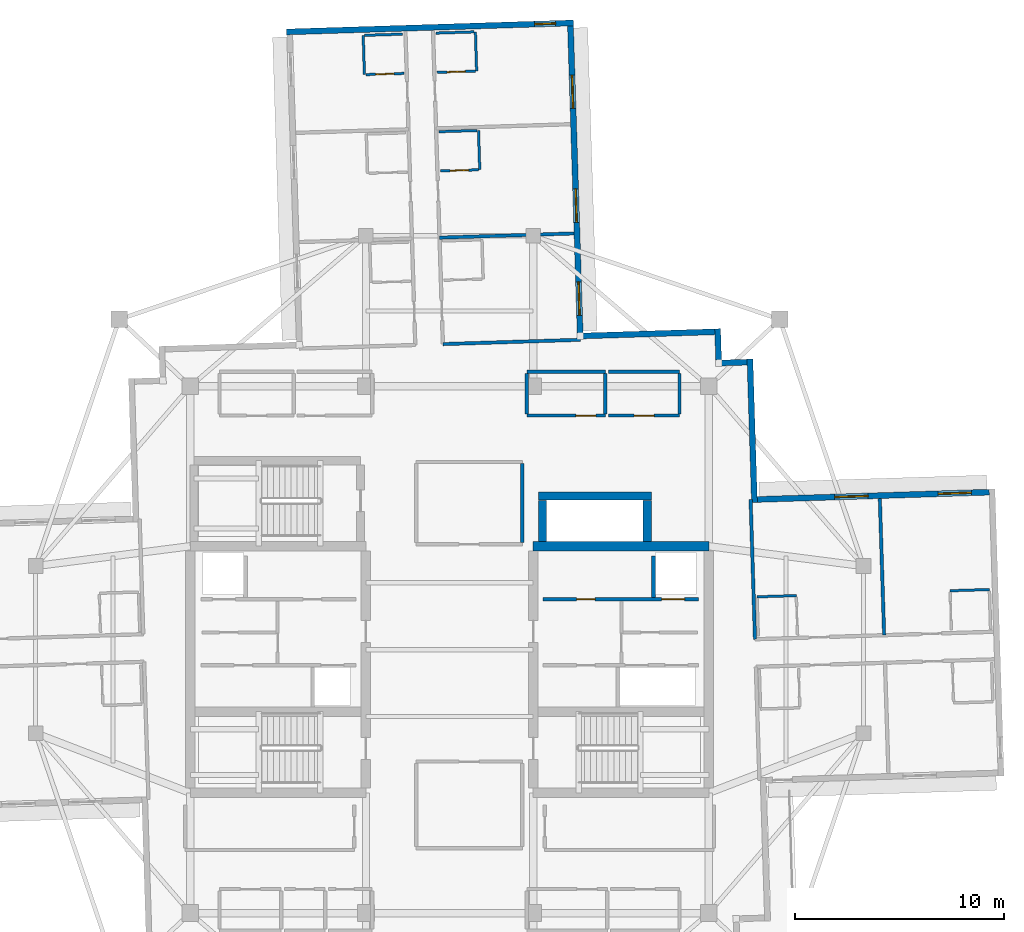
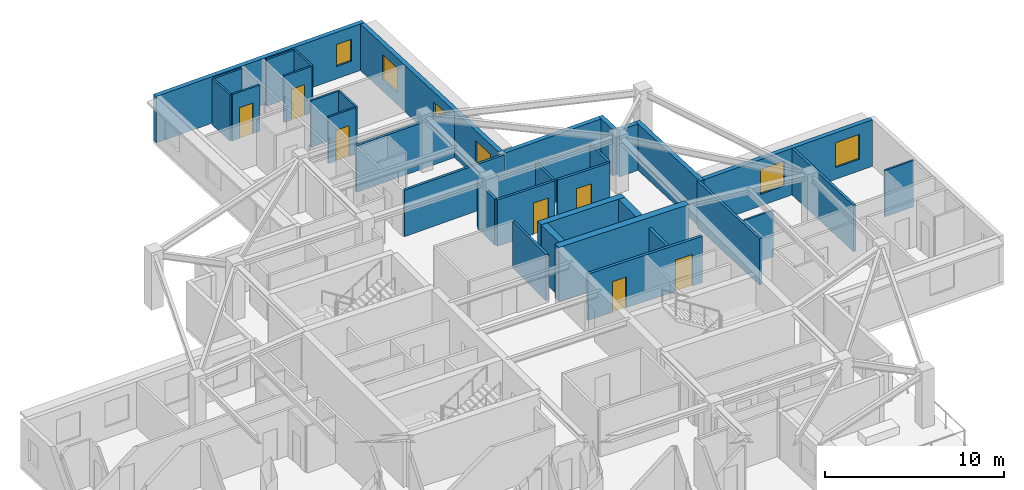
# One storey, part 8 of 13: 36 walls, 7 doors, 6 windows, 13 openings.
"""IFC4 building model written with IfcOpenShell, lengths in metres."""

from ifc_helpers import new_model, si_unit, direction, frame, frame_2d, origin, place, context, subcontext, project, spatial, rectangle, extrude, material, layer, layer_set, type_object, element, fill, save


model = new_model("IFC4")

# Units and contexts
model_context = context("Model", 3, precision=1e-05, world=origin(), true_north=direction((0.0, 1.0)))
body_context = subcontext(model_context, "Body", "Model", "MODEL_VIEW")
ifc_project = project(units=[si_unit("LENGTHUNIT", "METRE"), si_unit("AREAUNIT", "SQUARE_METRE"), si_unit("VOLUMEUNIT", "CUBIC_METRE"), si_unit("PLANEANGLEUNIT", "RADIAN"), si_unit("MASSUNIT", "GRAM", prefix="KILO")], contexts=[model_context])

# Site, building, storey
site_placement = place(None, origin())
site = spatial("IfcSite", under=ifc_project, at=site_placement, CompositionType="ELEMENT")
building_placement = place(site_placement, origin())
building = spatial("IfcBuilding", under=site, at=building_placement, Name="Qingluan Cross Belvedere", CompositionType="ELEMENT")
storey_placement = place(building_placement, frame((0.0, 0.0, 273.300048828125)))
storey = spatial("IfcBuildingStorey", under=building, at=storey_placement, Name="L68", CompositionType="ELEMENT", Elevation=273.300048828125)

# Walls
ifc_material_1 = material(Name="Concrete C50", Category="concrete")
ifc_layer_1 = layer(ifc_material_1, 0.449951171875, Name="CoreShearWall_450")
ifc_layer_set_1 = layer_set([ifc_layer_1], Name="Concrete C50")
wall_type_1 = type_object("IfcWallType", Name="CoreShearWall_450", PredefinedType="SHEAR", material=ifc_layer_set_1)
wall_1_placement = place(storey_placement, frame((4.0, 4.949951171875, 0.0), z_axis=(0.0, 0.0, 1.0), x_axis=(1.0, 0.0, 0.0)))
element("IfcWall", 1, at=wall_1_placement, inside=storey, type_object=wall_type_1, Name="Split core E shear wall L68-N", PredefinedType="SHEAR", context=body_context, shape_type="SweptSolid", body=[
    extrude(rectangle(XDim=8.39990234375, YDim=0.449951171875, at=frame_2d((4.199951171875, 0.0))), origin(), (0.0, 0.0, 1.0), 3.699951171875),
])
wall_2_placement = place(storey_placement, frame((4.449951171875, 5.179931640625, 0.0), z_axis=(0.0, 0.0, 1.0), x_axis=(0.0, 1.0, 0.0)))
element("IfcWall", 2, at=wall_2_placement, inside=storey, type_object=wall_type_1, Name="Express shuttle core wall L68-W", PredefinedType="SHEAR", context=body_context, shape_type="SweptSolid", body=[
    extrude(rectangle(XDim=1.9599609375, YDim=0.39990234375, at=frame_2d((0.97998046875, 0.0))), origin(), (0.0, 0.0, 1.0), 3.699951171875),
])
wall_3_placement = place(storey_placement, frame((4.25, 7.35009765625, 0.0), z_axis=(0.0, 0.0, 1.0), x_axis=(1.0, 0.0, 0.0)))
element("IfcWall", 3, at=wall_3_placement, inside=storey, type_object=wall_type_1, Name="Express shuttle core wall L68-N", PredefinedType="SHEAR", context=body_context, shape_type="SweptSolid", body=[
    extrude(rectangle(XDim=5.39990234375, YDim=0.39990234375, at=frame_2d((2.699951171875, 0.0))), origin(), (0.0, 0.0, 1.0), 3.699951171875),
])
wall_4_placement = place(storey_placement, frame((9.449951171875, 5.179931640625, 0.0), z_axis=(0.0, 0.0, 1.0), x_axis=(0.0, 1.0, 0.0)))
element("IfcWall", 4, at=wall_4_placement, inside=storey, type_object=wall_type_1, Name="Express shuttle core wall L68-E", PredefinedType="SHEAR", context=body_context, shape_type="SweptSolid", body=[
    extrude(rectangle(XDim=1.9599609375, YDim=0.39990234375, at=frame_2d((0.97998046875, 0.0))), origin(), (0.0, 0.0, 1.0), 3.699951171875),
])

# Wall, opening, door
ifc_material_2 = material(Name="Gypsum plasterboard on steel stud acoustic partition", Category="steel")
ifc_layer_2 = layer(ifc_material_2, 0.159912109375, Name="CorridorPartition_160")
ifc_layer_set_2 = layer_set([ifc_layer_2], Name="Gypsum plasterboard on steel stud acoustic partition")
wall_type_2 = type_object("IfcWallType", Name="CorridorPartition_160", PredefinedType="PARTITIONING", material=ifc_layer_set_2)
wall_5_placement = place(storey_placement, frame((3.699951171875, 11.199951171875, 0.0), z_axis=(0.0, 0.0, 1.0), x_axis=(1.0, 0.0, 0.0)))
wall_5 = element("IfcWall", 5, at=wall_5_placement, inside=storey, type_object=wall_type_2, Name="Partition L68:q_ne1:S", PredefinedType="PARTITIONING", context=body_context, shape_type="SweptSolid", body=[
    extrude(rectangle(XDim=3.75, YDim=0.159912109375, at=frame_2d((1.875, 0.0))), origin(), (0.0, 0.0, 1.0), 3.169921875),
])
opening_1_placement = place(wall_5_placement, frame((2.344970703125, 0.0, 0.0)))
opening_1 = element("IfcOpeningElement", 6, at=opening_1_placement, cuts=wall_5, Name="Opening GD-10", PredefinedType="OPENING", context=body_context, shape_type="SweptSolid", body=[
    extrude(rectangle(XDim=0.9599609375, YDim=2.14990234375, at=frame_2d((0.47998046875, 1.074951171875))), frame((0.0, 0.08984375, 0.0), z_axis=(0.0, -1.0, 0.0), x_axis=(1.0, 0.0, 0.0)), (0.0, 0.0, 1.0), 0.179931640625),
])
ifc_material_3 = material(Name="Timber oak fire-rated acoustic guestroom door", Category="wood")
door_type_1 = type_object("IfcDoorType", Name="GuestEntryDoor_FD60", OperationType="NOTDEFINED", PredefinedType="DOOR", material=ifc_material_3)
door_1_placement = place(opening_1_placement, origin())
door_1 = element("IfcDoor", 7, at=door_1_placement, inside=storey, type_object=door_type_1, Name="Belvedere club lounge L68 door", OperationType="SINGLE_SWING_RIGHT", OverallHeight=2.14990234375, OverallWidth=0.9599609375, PredefinedType="DOOR", context=body_context, shape_type="SweptSolid", body=[
    extrude(rectangle(XDim=0.9599609375, YDim=2.14990234375, at=frame_2d((0.47998046875, 1.074951171875))), frame((0.0, 0.02490234375, 0.0), z_axis=(0.0, -1.0, 0.0), x_axis=(1.0, 0.0, 0.0)), (0.0, 0.0, 1.0), 0.050048828125),
])
fill(opening_1, door_1)

# Walls
wall_6_placement = place(storey_placement, frame((3.699951171875, 13.300048828125, 0.0), z_axis=(0.0, 0.0, 1.0), x_axis=(1.0, 0.0, 0.0)))
element("IfcWall", 8, at=wall_6_placement, inside=storey, type_object=wall_type_2, Name="Partition L68:q_ne1:N", PredefinedType="PARTITIONING", context=body_context, shape_type="SweptSolid", body=[
    extrude(rectangle(XDim=3.75, YDim=0.159912109375, at=frame_2d((1.875, 0.0))), origin(), (0.0, 0.0, 1.0), 3.169921875),
])
for number, where, z_axis, x_axis, name in (
    (9, (3.699951171875, 11.284912109375, 0.0), (0.0, 0.0, 1.0), (0.0, 1.0, 0.0), "Partition L68:q_ne1:W"),
    (10, (7.449951171875, 11.284912109375, 0.0), (0.0, 0.0, 1.0), (0.0, 1.0, 0.0), "Partition L68:q_ne1:E"),
):
    element("IfcWall", number, at=place(storey_placement, frame(where, z_axis=z_axis, x_axis=x_axis)), inside=storey, type_object=wall_type_2, Name=name, PredefinedType="PARTITIONING", context=body_context, shape_type="SweptSolid", body=[
        extrude(rectangle(XDim=1.93017578125, YDim=0.159912109375, at=frame_2d((0.965087890625, 0.0))), origin(), (0.0, 0.0, 1.0), 3.169921875),
    ])

# Wall, opening, door
wall_7_placement = place(storey_placement, frame((7.610107421875, 11.199951171875, 0.0), z_axis=(0.0, 0.0, 1.0), x_axis=(1.0, 0.0, 0.0)))
wall_7 = element("IfcWall", 11, at=wall_7_placement, inside=storey, type_object=wall_type_2, Name="Partition L68:q_ne2:S", PredefinedType="PARTITIONING", context=body_context, shape_type="SweptSolid", body=[
    extrude(rectangle(XDim=3.389892578125, YDim=0.159912109375, at=frame_2d((1.69482421875, 0.0))), origin(), (0.0, 0.0, 1.0), 3.169921875),
])
opening_2_placement = place(wall_7_placement, frame((1.215087890625, 0.0, 0.0)))
opening_2 = element("IfcOpeningElement", 12, at=opening_2_placement, cuts=wall_7, Name="Opening GD-10", PredefinedType="OPENING", context=body_context, shape_type="SweptSolid", body=[
    extrude(rectangle(XDim=0.9599609375, YDim=2.14990234375, at=frame_2d((0.47998046875, 1.074951171875))), frame((0.0, 0.08984375, 0.0), z_axis=(0.0, -1.0, 0.0), x_axis=(1.0, 0.0, 0.0)), (0.0, 0.0, 1.0), 0.179931640625),
])
door_2_placement = place(opening_2_placement, origin())
door_2 = element("IfcDoor", 13, at=door_2_placement, inside=storey, type_object=door_type_1, Name="Northeast tea salon L68 door", OperationType="SINGLE_SWING_LEFT", OverallHeight=2.14990234375, OverallWidth=0.9599609375, PredefinedType="DOOR", context=body_context, shape_type="SweptSolid", body=[
    extrude(rectangle(XDim=0.9599609375, YDim=2.14990234375, at=frame_2d((0.47998046875, 1.074951171875))), frame((0.0, 0.02490234375, 0.0), z_axis=(0.0, -1.0, 0.0), x_axis=(1.0, 0.0, 0.0)), (0.0, 0.0, 1.0), 0.050048828125),
])
fill(opening_2, door_2)

# Walls
wall_8_placement = place(storey_placement, frame((7.610107421875, 13.300048828125, 0.0), z_axis=(0.0, 0.0, 1.0), x_axis=(1.0, 0.0, 0.0)))
element("IfcWall", 14, at=wall_8_placement, inside=storey, type_object=wall_type_2, Name="Partition L68:q_ne2:N", PredefinedType="PARTITIONING", context=body_context, shape_type="SweptSolid", body=[
    extrude(rectangle(XDim=3.389892578125, YDim=0.159912109375, at=frame_2d((1.69482421875, 0.0))), origin(), (0.0, 0.0, 1.0), 3.169921875),
])
wall_9_placement = place(storey_placement, frame((11.0, 11.284912109375, 0.0), z_axis=(0.0, 0.0, 1.0), x_axis=(0.0, 1.0, 0.0)))
element("IfcWall", 15, at=wall_9_placement, inside=storey, type_object=wall_type_2, Name="Partition L68:q_ne2:E", PredefinedType="PARTITIONING", context=body_context, shape_type="SweptSolid", body=[
    extrude(rectangle(XDim=1.93017578125, YDim=0.159912109375, at=frame_2d((0.965087890625, 0.0))), origin(), (0.0, 0.0, 1.0), 3.169921875),
])
wall_10_placement = place(storey_placement, frame((3.47998046875, 5.135009765625, 0.0), z_axis=(0.0, 0.0, 1.0), x_axis=(0.0, 1.0, 0.0)))
element("IfcWall", 16, at=wall_10_placement, inside=storey, type_object=wall_type_2, Name="Partition L68:sky_tea_alcove:E", PredefinedType="PARTITIONING", context=body_context, shape_type="SweptSolid", body=[
    extrude(rectangle(XDim=3.760009765625, YDim=0.159912109375, at=frame_2d((1.8798828125, 0.0))), origin(), (0.0, 0.0, 1.0), 3.169921875),
])
wall_11_placement = place(storey_placement, frame((14.611572265625, 0.499267578125, 0.0), z_axis=(0.0, 0.0, 1.0), x_axis=(-0.031432152102, 0.999505887834, 0.0)))
element("IfcWall", 17, at=wall_11_placement, inside=storey, type_object=wall_type_2, Name="Partition L68:E:s0", PredefinedType="PARTITIONING", context=body_context, shape_type="SweptSolid", body=[
    extrude(rectangle(XDim=6.679931640625, YDim=0.159912109375, at=frame_2d((3.33984375, 0.0))), origin(), (0.0, 0.0, 1.0), 3.169921875),
])
wall_12_placement = place(storey_placement, frame((20.78857421875, 0.693359375, 0.0), z_axis=(0.0, 0.0, 1.0), x_axis=(-0.031433117423, 0.999505857476, 0.0)))
element("IfcWall", 18, at=wall_12_placement, inside=storey, type_object=wall_type_2, Name="Partition L68:E:d0_0", PredefinedType="PARTITIONING", context=body_context, shape_type="SweptSolid", body=[
    extrude(rectangle(XDim=6.531982421875, YDim=0.159912109375, at=frame_2d((3.26611328125, 0.0))), origin(), (0.0, 0.0, 1.0), 3.169921875),
])
wall_13_placement = place(storey_placement, frame((-0.3193359375, 14.6171875, 0.0), z_axis=(0.0, 0.0, 1.0), x_axis=(0.999506085206, 0.03142587528, 0.0)))
element("IfcWall", 19, at=wall_13_placement, inside=storey, type_object=wall_type_2, Name="Partition L68:N:s0", PredefinedType="PARTITIONING", context=body_context, shape_type="SweptSolid", body=[
    extrude(rectangle(XDim=6.580078125, YDim=0.159912109375, at=frame_2d((3.2900390625, 0.0))), origin(), (0.0, 0.0, 1.0), 3.169921875),
])
wall_14_placement = place(storey_placement, frame((-0.479248046875, 19.708740234375, 0.0), z_axis=(0.0, 0.0, 1.0), x_axis=(0.999507175611, 0.031391175537, 0.0)))
element("IfcWall", 20, at=wall_14_placement, inside=storey, type_object=wall_type_2, Name="Partition L68:N:d0_0", PredefinedType="PARTITIONING", context=body_context, shape_type="SweptSolid", body=[
    extrude(rectangle(XDim=6.431884765625, YDim=0.159912109375, at=frame_2d((3.2158203125, 0.0))), origin(), (0.0, 0.0, 1.0), 3.169921875),
])
ifc_material_4 = material(Name="Moisture-resistant gypsum board lining")
ifc_layer_3 = layer(ifc_material_4, 0.1201171875, Name="EnsuiteWetPartition_120")
ifc_layer_set_3 = layer_set([ifc_layer_3], Name="Moisture-resistant gypsum board lining")
wall_type_3 = type_object("IfcWallType", Name="EnsuiteWetPartition_120", PredefinedType="PARTITIONING", material=ifc_layer_set_3)
for number, where, z_axis, x_axis, name in (
    (21, (14.707763671875, 2.5283203125, 0.0), (0.0, 0.0, 1.0), (0.999506103526, 0.031425292588, 0.0), "Partition L68:E:bn0_0"),
    (22, (23.943359375, 2.818603515625, 0.0), (0.0, 0.0, 1.0), (0.999510173889, 0.031295563454, 0.0), "Partition L68:E:bn0_1"),
):
    element("IfcWall", number, at=place(storey_placement, frame(where, z_axis=z_axis, x_axis=x_axis)), inside=storey, type_object=wall_type_3, Name=name, PredefinedType="PARTITIONING", context=body_context, shape_type="SweptSolid", body=[
        extrude(rectangle(XDim=1.880126953125, YDim=0.1201171875, at=frame_2d((0.93994140625, 0.0))), origin(), (0.0, 0.0, 1.0), 3.169921875),
    ])

# Wall, opening, door
wall_15_placement = place(storey_placement, frame((-0.439453125, 22.8984375, 0.0), z_axis=(0.0, 0.0, 1.0), x_axis=(0.999503004171, 0.03152371574, 0.0)))
wall_15 = element("IfcWall", 23, at=wall_15_placement, inside=storey, type_object=wall_type_3, Name="Partition L68:N:bs0_1", PredefinedType="PARTITIONING", context=body_context, shape_type="SweptSolid", body=[
    extrude(rectangle(XDim=1.820068359375, YDim=0.1201171875, at=frame_2d((0.91015625, 0.0))), origin(), (0.0, 0.0, 1.0), 3.169921875),
])
opening_3_placement = place(wall_15_placement, frame((0.469970703125, 0.0, 0.0)))
opening_3 = element("IfcOpeningElement", 24, at=opening_3_placement, cuts=wall_15, Name="Opening BD-09", PredefinedType="OPENING", context=body_context, shape_type="SweptSolid", body=[
    extrude(rectangle(XDim=0.8798828125, YDim=2.10009765625, at=frame_2d((0.43994140625, 1.050048828125))), frame((0.0, 0.070068359375, 0.0), z_axis=(0.0, -1.0, 0.0), x_axis=(1.0, 0.0, 0.0)), (0.0, 0.0, 1.0), 0.14013671875),
])
ifc_material_5 = material(Name="Moisture-sealed timber en-suite door", Category="wood")
door_type_2 = type_object("IfcDoorType", Name="BathroomDoor_880", OperationType="NOTDEFINED", PredefinedType="DOOR", material=ifc_material_5)
door_3_placement = place(opening_3_placement, origin())
door_3 = element("IfcDoor", 25, at=door_3_placement, inside=storey, type_object=door_type_2, Name="Bathroom door 6810", OperationType="SINGLE_SWING_RIGHT", OverallHeight=2.10009765625, OverallWidth=0.8798828125, PredefinedType="DOOR", context=body_context, shape_type="SweptSolid", body=[
    extrude(rectangle(XDim=0.8798828125, YDim=2.10009765625, at=frame_2d((0.43994140625, 1.050048828125))), frame((0.0, 0.02490234375, 0.0), z_axis=(0.0, -1.0, 0.0), x_axis=(1.0, 0.0, 0.0)), (0.0, 0.0, 1.0), 0.050048828125),
])
fill(opening_3, door_3)

# Walls
wall_16_placement = place(storey_placement, frame((-0.49853515625, 24.777587890625, 0.0), z_axis=(0.0, 0.0, 1.0), x_axis=(0.999507221803, 0.031389704724, 0.0)))
element("IfcWall", 26, at=wall_16_placement, inside=storey, type_object=wall_type_3, Name="Partition L68:N:bw0_1", PredefinedType="PARTITIONING", context=body_context, shape_type="SweptSolid", body=[
    extrude(rectangle(XDim=1.820068359375, YDim=0.1201171875, at=frame_2d((0.91015625, 0.0))), origin(), (0.0, 0.0, 1.0), 3.169921875),
])
wall_17_placement = place(storey_placement, frame((1.444580078125, 22.957763671875, 0.0), z_axis=(0.0, 0.0, 1.0), x_axis=(-0.031425292588, 0.999506103526, 0.0)))
element("IfcWall", 27, at=wall_17_placement, inside=storey, type_object=wall_type_3, Name="Partition L68:N:bn0_1", PredefinedType="PARTITIONING", context=body_context, shape_type="SweptSolid", body=[
    extrude(rectangle(XDim=1.880126953125, YDim=0.1201171875, at=frame_2d((0.93994140625, 0.0))), origin(), (0.0, 0.0, 1.0), 3.169921875),
])

# Wall, opening, door
wall_18_placement = place(storey_placement, frame((-0.587646484375, 27.615234375, 0.0), z_axis=(0.0, 0.0, 1.0), x_axis=(0.999507221803, 0.031389704724, 0.0)))
wall_18 = element("IfcWall", 28, at=wall_18_placement, inside=storey, type_object=wall_type_3, Name="Partition L68:N:bs0_2", PredefinedType="PARTITIONING", context=body_context, shape_type="SweptSolid", body=[
    extrude(rectangle(XDim=1.820068359375, YDim=0.1201171875, at=frame_2d((0.91015625, 0.0))), origin(), (0.0, 0.0, 1.0), 3.169921875),
])
opening_4_placement = place(wall_18_placement, frame((0.469970703125, 0.0, 0.0)))
opening_4 = element("IfcOpeningElement", 29, at=opening_4_placement, cuts=wall_18, Name="Opening BD-09", PredefinedType="OPENING", context=body_context, shape_type="SweptSolid", body=[
    extrude(rectangle(XDim=0.8798828125, YDim=2.10009765625, at=frame_2d((0.43994140625, 1.050048828125))), frame((0.0, 0.070068359375, 0.0), z_axis=(0.0, -1.0, 0.0), x_axis=(1.0, 0.0, 0.0)), (0.0, 0.0, 1.0), 0.14013671875),
])
door_4_placement = place(opening_4_placement, origin())
door_4 = element("IfcDoor", 30, at=door_4_placement, inside=storey, type_object=door_type_2, Name="Bathroom door 6811", OperationType="SINGLE_SWING_RIGHT", OverallHeight=2.10009765625, OverallWidth=0.8798828125, PredefinedType="DOOR", context=body_context, shape_type="SweptSolid", body=[
    extrude(rectangle(XDim=0.8798828125, YDim=2.10009765625, at=frame_2d((0.43994140625, 1.050048828125))), frame((0.0, 0.02490234375, 0.0), z_axis=(0.0, -1.0, 0.0), x_axis=(1.0, 0.0, 0.0)), (0.0, 0.0, 1.0), 0.050048828125),
])
fill(opening_4, door_4)

# Walls
wall_19_placement = place(storey_placement, frame((-0.646728515625, 29.494140625, 0.0), z_axis=(0.0, 0.0, 1.0), x_axis=(0.999503004171, 0.03152371574, 0.0)))
element("IfcWall", 31, at=wall_19_placement, inside=storey, type_object=wall_type_3, Name="Partition L68:N:bw0_2", PredefinedType="PARTITIONING", context=body_context, shape_type="SweptSolid", body=[
    extrude(rectangle(XDim=1.820068359375, YDim=0.1201171875, at=frame_2d((0.91015625, 0.0))), origin(), (0.0, 0.0, 1.0), 3.169921875),
])
wall_20_placement = place(storey_placement, frame((1.29638671875, 27.67431640625, 0.0), z_axis=(0.0, 0.0, 1.0), x_axis=(-0.031425292588, 0.999506103526, 0.0)))
element("IfcWall", 32, at=wall_20_placement, inside=storey, type_object=wall_type_3, Name="Partition L68:N:bn0_2", PredefinedType="PARTITIONING", context=body_context, shape_type="SweptSolid", body=[
    extrude(rectangle(XDim=1.880126953125, YDim=0.1201171875, at=frame_2d((0.93994140625, 0.0))), origin(), (0.0, 0.0, 1.0), 3.169921875),
])

# Wall, opening, door
wall_21_placement = place(storey_placement, frame((-4.006103515625, 27.5078125, 0.0), z_axis=(0.0, 0.0, 1.0), x_axis=(0.999507221803, 0.031389704724, 0.0)))
wall_21 = element("IfcWall", 33, at=wall_21_placement, inside=storey, type_object=wall_type_3, Name="Partition L68:N:bs1_2", PredefinedType="PARTITIONING", context=body_context, shape_type="SweptSolid", body=[
    extrude(rectangle(XDim=1.820068359375, YDim=0.1201171875, at=frame_2d((0.91015625, 0.0))), origin(), (0.0, 0.0, 1.0), 3.169921875),
])
opening_5_placement = place(wall_21_placement, frame((0.469970703125, 0.0, 0.0)))
opening_5 = element("IfcOpeningElement", 34, at=opening_5_placement, cuts=wall_21, Name="Opening BD-09", PredefinedType="OPENING", context=body_context, shape_type="SweptSolid", body=[
    extrude(rectangle(XDim=0.8798828125, YDim=2.10009765625, at=frame_2d((0.43994140625, 1.050048828125))), frame((0.0, 0.070068359375, 0.0), z_axis=(0.0, -1.0, 0.0), x_axis=(1.0, 0.0, 0.0)), (0.0, 0.0, 1.0), 0.14013671875),
])
door_5_placement = place(opening_5_placement, origin())
door_5 = element("IfcDoor", 35, at=door_5_placement, inside=storey, type_object=door_type_2, Name="Bathroom door 6814", OperationType="SINGLE_SWING_RIGHT", OverallHeight=2.10009765625, OverallWidth=0.8798828125, PredefinedType="DOOR", context=body_context, shape_type="SweptSolid", body=[
    extrude(rectangle(XDim=0.8798828125, YDim=2.10009765625, at=frame_2d((0.43994140625, 1.050048828125))), frame((0.0, 0.02490234375, 0.0), z_axis=(0.0, -1.0, 0.0), x_axis=(1.0, 0.0, 0.0)), (0.0, 0.0, 1.0), 0.050048828125),
])
fill(opening_5, door_5)

# Walls
wall_22_placement = place(storey_placement, frame((-4.065185546875, 29.38671875, 0.0), z_axis=(0.0, 0.0, 1.0), x_axis=(0.999503004171, 0.03152371574, 0.0)))
element("IfcWall", 36, at=wall_22_placement, inside=storey, type_object=wall_type_3, Name="Partition L68:N:bw1_2", PredefinedType="PARTITIONING", context=body_context, shape_type="SweptSolid", body=[
    extrude(rectangle(XDim=1.820068359375, YDim=0.1201171875, at=frame_2d((0.91015625, 0.0))), origin(), (0.0, 0.0, 1.0), 3.169921875),
])
wall_23_placement = place(storey_placement, frame((-4.071044921875, 27.505615234375, 0.0), z_axis=(0.0, 0.0, 1.0), x_axis=(-0.031295563454, 0.999510173889, 0.0)))
element("IfcWall", 37, at=wall_23_placement, inside=storey, type_object=wall_type_3, Name="Partition L68:N:bc1_2", PredefinedType="PARTITIONING", context=body_context, shape_type="SweptSolid", body=[
    extrude(rectangle(XDim=1.880126953125, YDim=0.1201171875, at=frame_2d((0.93994140625, 0.0))), origin(), (0.0, 0.0, 1.0), 3.169921875),
])

# Wall, openings, windows
ifc_material_6 = material(Name="Precast concrete C45", Category="concrete")
ifc_layer_4 = layer(ifc_material_6, 0.280029296875, Name="PrecastFacadeWall_280")
ifc_layer_set_4 = layer_set([ifc_layer_4], Name="Precast concrete C45")
wall_type_4 = type_object("IfcWallType", Name="PrecastFacadeWall_280", PredefinedType="STANDARD", material=ifc_layer_set_4)
wall_24_placement = place(storey_placement, frame((25.816162109375, 7.53466796875, 0.0), z_axis=(0.0, 0.0, 1.0), x_axis=(-0.999506653742, -0.031407787641, 0.0)))
wall_24 = element("IfcWall", 38, at=wall_24_placement, inside=storey, type_object=wall_type_4, Name="Facade wall L68-EB", PredefinedType="STANDARD", context=body_context, shape_type="SweptSolid", body=[
    extrude(rectangle(XDim=11.10009765625, YDim=0.280029296875, at=frame_2d((5.550048828125, 0.0))), origin(), (0.0, 0.0, 1.0), 3.179931640625),
])
opening_6_placement = place(wall_24_placement, frame((0.85009765625, 0.0, 0.800048828125)))
opening_6 = element("IfcOpeningElement", 39, at=opening_6_placement, cuts=wall_24, Name="Opening W-04", PredefinedType="OPENING", context=body_context, shape_type="SweptSolid", body=[
    extrude(rectangle(XDim=1.60009765625, YDim=1.699951171875, at=frame_2d((0.800048828125, 0.85009765625))), frame((0.0, 0.14990234375, 0.0), z_axis=(0.0, -1.0, 0.0), x_axis=(1.0, 0.0, 0.0)), (0.0, 0.0, 1.0), 0.300048828125),
])
opening_7_placement = place(wall_24_placement, frame((5.800048828125, 0.0, 0.800048828125)))
opening_7 = element("IfcOpeningElement", 40, at=opening_7_placement, cuts=wall_24, Name="Opening W-04", PredefinedType="OPENING", context=body_context, shape_type="SweptSolid", body=[
    extrude(rectangle(XDim=1.60009765625, YDim=1.699951171875, at=frame_2d((0.800048828125, 0.85009765625))), frame((0.0, 0.14990234375, 0.0), z_axis=(0.0, -1.0, 0.0), x_axis=(1.0, 0.0, 0.0)), (0.0, 0.0, 1.0), 0.300048828125),
])
ifc_material_7 = material(Name="Thermally broken triple Low-E glass in aluminium frame", Category="aluminium")
window_type_1 = type_object("IfcWindowType", Name="SuiteCornerWin_1600x1700", PartitioningType="SINGLE_PANEL", PredefinedType="WINDOW", material=ifc_material_7)
window_1_placement = place(opening_6_placement, origin())
window_1 = element("IfcWindow", 41, at=window_1_placement, inside=storey, type_object=window_type_1, Name="Ribbon window L68-EB-1", OverallHeight=1.699951171875, OverallWidth=1.60009765625, PartitioningType="SINGLE_PANEL", PredefinedType="WINDOW", context=body_context, shape_type="SweptSolid", body=[
    extrude(rectangle(XDim=1.60009765625, YDim=1.699951171875, at=frame_2d((0.800048828125, 0.85009765625))), frame((0.0, 0.030029296875, 0.0), z_axis=(0.0, -1.0, 0.0), x_axis=(1.0, 0.0, 0.0)), (0.0, 0.0, 1.0), 0.06005859375),
])
fill(opening_6, window_1)
window_2_placement = place(opening_7_placement, origin())
window_2 = element("IfcWindow", 42, at=window_2_placement, inside=storey, type_object=window_type_1, Name="Ribbon window L68-EB-2", OverallHeight=1.699951171875, OverallWidth=1.60009765625, PartitioningType="SINGLE_PANEL", PredefinedType="WINDOW", context=body_context, shape_type="SweptSolid", body=[
    extrude(rectangle(XDim=1.60009765625, YDim=1.699951171875, at=frame_2d((0.800048828125, 0.85009765625))), frame((0.0, 0.030029296875, 0.0), z_axis=(0.0, -1.0, 0.0), x_axis=(1.0, 0.0, 0.0)), (0.0, 0.0, 1.0), 0.06005859375),
])
fill(opening_7, window_2)

wall_25_placement = place(storey_placement, frame((6.247314453125, 15.143798828125, 0.0), z_axis=(0.0, 0.0, 1.0), x_axis=(-0.031406376864, 0.999506698073, 0.0)))
wall_25 = element("IfcWall", 43, at=wall_25_placement, inside=storey, type_object=wall_type_4, Name="Facade wall L68-NA", PredefinedType="STANDARD", context=body_context, shape_type="SweptSolid", body=[
    extrude(rectangle(XDim=14.699951171875, YDim=0.280029296875, at=frame_2d((7.35009765625, 0.0))), origin(), (0.0, 0.0, 1.0), 3.179931640625),
])
opening_8_placement = place(wall_25_placement, frame((0.85009765625, 0.0, 0.800048828125)))
opening_8 = element("IfcOpeningElement", 44, at=opening_8_placement, cuts=wall_25, Name="Opening W-04", PredefinedType="OPENING", context=body_context, shape_type="SweptSolid", body=[
    extrude(rectangle(XDim=1.60009765625, YDim=1.699951171875, at=frame_2d((0.800048828125, 0.85009765625))), frame((0.0, 0.14990234375, 0.0), z_axis=(0.0, -1.0, 0.0), x_axis=(1.0, 0.0, 0.0)), (0.0, 0.0, 1.0), 0.300048828125),
])
opening_9_placement = place(wall_25_placement, frame((5.300048828125, 0.0, 0.800048828125)))
opening_9 = element("IfcOpeningElement", 45, at=opening_9_placement, cuts=wall_25, Name="Opening W-04", PredefinedType="OPENING", context=body_context, shape_type="SweptSolid", body=[
    extrude(rectangle(XDim=1.60009765625, YDim=1.699951171875, at=frame_2d((0.800048828125, 0.85009765625))), frame((0.0, 0.14990234375, 0.0), z_axis=(0.0, -1.0, 0.0), x_axis=(1.0, 0.0, 0.0)), (0.0, 0.0, 1.0), 0.300048828125),
])
opening_10_placement = place(wall_25_placement, frame((10.75, 0.0, 0.800048828125)))
opening_10 = element("IfcOpeningElement", 46, at=opening_10_placement, cuts=wall_25, Name="Opening W-04", PredefinedType="OPENING", context=body_context, shape_type="SweptSolid", body=[
    extrude(rectangle(XDim=1.60009765625, YDim=1.699951171875, at=frame_2d((0.800048828125, 0.85009765625))), frame((0.0, 0.14990234375, 0.0), z_axis=(0.0, -1.0, 0.0), x_axis=(1.0, 0.0, 0.0)), (0.0, 0.0, 1.0), 0.300048828125),
])
window_3_placement = place(opening_8_placement, origin())
window_3 = element("IfcWindow", 47, at=window_3_placement, inside=storey, type_object=window_type_1, Name="Ribbon window L68-NA-1", OverallHeight=1.699951171875, OverallWidth=1.60009765625, PartitioningType="SINGLE_PANEL", PredefinedType="WINDOW", context=body_context, shape_type="SweptSolid", body=[
    extrude(rectangle(XDim=1.60009765625, YDim=1.699951171875, at=frame_2d((0.800048828125, 0.85009765625))), frame((0.0, 0.030029296875, 0.0), z_axis=(0.0, -1.0, 0.0), x_axis=(1.0, 0.0, 0.0)), (0.0, 0.0, 1.0), 0.06005859375),
])
fill(opening_8, window_3)
window_4_placement = place(opening_9_placement, origin())
window_4 = element("IfcWindow", 48, at=window_4_placement, inside=storey, type_object=window_type_1, Name="Ribbon window L68-NA-2", OverallHeight=1.699951171875, OverallWidth=1.60009765625, PartitioningType="SINGLE_PANEL", PredefinedType="WINDOW", context=body_context, shape_type="SweptSolid", body=[
    extrude(rectangle(XDim=1.60009765625, YDim=1.699951171875, at=frame_2d((0.800048828125, 0.85009765625))), frame((0.0, 0.030029296875, 0.0), z_axis=(0.0, -1.0, 0.0), x_axis=(1.0, 0.0, 0.0)), (0.0, 0.0, 1.0), 0.06005859375),
])
fill(opening_9, window_4)
window_5_placement = place(opening_10_placement, origin())
window_5 = element("IfcWindow", 49, at=window_5_placement, inside=storey, type_object=window_type_1, Name="Ribbon window L68-NA-3", OverallHeight=1.699951171875, OverallWidth=1.60009765625, PartitioningType="SINGLE_PANEL", PredefinedType="WINDOW", context=body_context, shape_type="SweptSolid", body=[
    extrude(rectangle(XDim=1.60009765625, YDim=1.699951171875, at=frame_2d((0.800048828125, 0.85009765625))), frame((0.0, 0.030029296875, 0.0), z_axis=(0.0, -1.0, 0.0), x_axis=(1.0, 0.0, 0.0)), (0.0, 0.0, 1.0), 0.06005859375),
])
fill(opening_10, window_5)

# Wall, opening, window
wall_26_placement = place(storey_placement, frame((5.921142578125, 29.980712890625, 0.0), z_axis=(0.0, 0.0, 1.0), x_axis=(-0.999506662003, -0.031407524763, 0.0)))
wall_26 = element("IfcWall", 50, at=wall_26_placement, inside=storey, type_object=wall_type_4, Name="Arm tip precast facade wall L68-N", PredefinedType="STANDARD", context=body_context, shape_type="SweptSolid", body=[
    extrude(rectangle(XDim=13.719970703125, YDim=0.280029296875, at=frame_2d((6.85986328125, 0.0))), origin(), (0.0, 0.0, 1.0), 3.179931640625),
])
opening_11_placement = place(wall_26_placement, frame((0.85009765625, 0.0, 0.85009765625)))
opening_11 = element("IfcOpeningElement", 51, at=opening_11_placement, cuts=wall_26, Name="Opening W-03", PredefinedType="OPENING", context=body_context, shape_type="SweptSolid", body=[
    extrude(rectangle(XDim=1.0, YDim=1.5, at=frame_2d((0.5, 0.75))), frame((0.0, 0.14990234375, 0.0), z_axis=(0.0, -1.0, 0.0), x_axis=(1.0, 0.0, 0.0)), (0.0, 0.0, 1.0), 0.300048828125),
])
ifc_material_8 = material(Name="Thermally broken triple Low-E glass in aluminium frame", Category="aluminium")
window_type_2 = type_object("IfcWindowType", Name="TriApexWin_1000x1500", PartitioningType="SINGLE_PANEL", PredefinedType="WINDOW", material=ifc_material_8)
window_6_placement = place(opening_11_placement, origin())
window_6 = element("IfcWindow", 52, at=window_6_placement, inside=storey, type_object=window_type_2, Name="Arm tip triangular window L68-N", OverallHeight=1.5, OverallWidth=1.0, PartitioningType="SINGLE_PANEL", PredefinedType="WINDOW", context=body_context, shape_type="SweptSolid", body=[
    extrude(rectangle(XDim=1.0, YDim=1.5, at=frame_2d((0.5, 0.75))), frame((0.0, 0.030029296875, 0.0), z_axis=(0.0, -1.0, 0.0), x_axis=(1.0, 0.0, 0.0)), (0.0, 0.0, 1.0), 0.06005859375),
])
fill(opening_11, window_6)

# Walls
wall_27_placement = place(storey_placement, frame((14.5859375, 7.04150390625, 0.0), z_axis=(0.0, 0.0, 1.0), x_axis=(-0.031389189386, 0.999507237988, 0.0)))
element("IfcWall", 53, at=wall_27_placement, inside=storey, type_object=wall_type_4, Name="Corner wall L68-NE1", PredefinedType="STANDARD", context=body_context, shape_type="SweptSolid", body=[
    extrude(rectangle(XDim=6.860107421875, YDim=0.280029296875, at=frame_2d((3.43017578125, 0.0))), origin(), (0.0, 0.0, 1.0), 3.179931640625),
])
wall_28_placement = place(storey_placement, frame((14.235107421875, 13.75390625, 0.0), z_axis=(0.0, 0.0, 1.0), x_axis=(-0.999506398264, -0.031415916822, 0.0)))
element("IfcWall", 54, at=wall_28_placement, inside=storey, type_object=wall_type_4, Name="Corner wall L68-NE2", PredefinedType="STANDARD", context=body_context, shape_type="SweptSolid", body=[
    extrude(rectangle(XDim=1.219970703125, YDim=0.280029296875, at=frame_2d((0.60986328125, 0.0))), origin(), (0.0, 0.0, 1.0), 3.179931640625),
])
wall_29_placement = place(storey_placement, frame((12.871337890625, 13.85107421875, 0.0), z_axis=(0.0, 0.0, 1.0), x_axis=(-0.031412596484, 0.999506502621, 0.0)))
element("IfcWall", 55, at=wall_29_placement, inside=storey, type_object=wall_type_4, Name="Corner wall L68-NE3", PredefinedType="STANDARD", context=body_context, shape_type="SweptSolid", body=[
    extrude(rectangle(XDim=1.5, YDim=0.280029296875, at=frame_2d((0.75, 0.0))), origin(), (0.0, 0.0, 1.0), 3.179931640625),
])
wall_30_placement = place(storey_placement, frame((12.688720703125, 15.2060546875, 0.0), z_axis=(0.0, 0.0, 1.0), x_axis=(-0.999507262922, -0.031388395416, 0.0)))
element("IfcWall", 56, at=wall_30_placement, inside=storey, type_object=wall_type_4, Name="Corner wall L68-NE4", PredefinedType="STANDARD", context=body_context, shape_type="SweptSolid", body=[
    extrude(rectangle(XDim=6.30029296875, YDim=0.280029296875, at=frame_2d((3.150146484375, 0.0))), origin(), (0.0, 0.0, 1.0), 3.179931640625),
])

# Wall, openings, doors
ifc_material_9 = material(Name="Concrete C40", Category="concrete")
ifc_layer_5 = layer(ifc_material_9, 0.219970703125, Name="ShaftEnclosureWall_250")
ifc_layer_set_5 = layer_set([ifc_layer_5], Name="Concrete C40")
wall_type_5 = type_object("IfcWallType", Name="ShaftEnclosureWall_250", PredefinedType="SOLIDWALL", material=ifc_layer_set_5)
wall_31_placement = place(storey_placement, frame((4.47998046875, 2.409912109375, 0.0), z_axis=(0.0, 0.0, 1.0), x_axis=(1.0, 0.0, 0.0)))
wall_31 = element("IfcWall", 57, at=wall_31_placement, inside=storey, type_object=wall_type_5, Name="Core-E north hoistway wall L68", PredefinedType="SOLIDWALL", context=body_context, shape_type="SweptSolid", body=[
    extrude(rectangle(XDim=7.419921875, YDim=0.179931640625, at=frame_2d((3.7099609375, 0.0))), origin(), (0.0, 0.0, 1.0), 3.169921875),
])
opening_12_placement = place(wall_31_placement, frame((5.669921875, 0.0, 0.0)))
opening_12 = element("IfcOpeningElement", 58, at=opening_12_placement, cuts=wall_31, Name="Opening LD-11", PredefinedType="OPENING", context=body_context, shape_type="SweptSolid", body=[
    extrude(rectangle(XDim=1.10009765625, YDim=2.14990234375, at=frame_2d((0.550048828125, 1.074951171875))), frame((0.0, 0.099853515625, 0.0), z_axis=(0.0, -1.0, 0.0), x_axis=(1.0, 0.0, 0.0)), (0.0, 0.0, 1.0), 0.199951171875),
])
opening_13_placement = place(wall_31_placement, frame((1.60009765625, 0.0, 0.0)))
opening_13 = element("IfcOpeningElement", 59, at=opening_13_placement, cuts=wall_31, Name="Opening FD-B10", PredefinedType="OPENING", context=body_context, shape_type="SweptSolid", body=[
    extrude(rectangle(XDim=0.8798828125, YDim=2.10009765625, at=frame_2d((0.43994140625, 1.050048828125))), frame((0.0, 0.099853515625, 0.0), z_axis=(0.0, -1.0, 0.0), x_axis=(1.0, 0.0, 0.0)), (0.0, 0.0, 1.0), 0.199951171875),
])
ifc_material_10 = material(Name="Brushed stainless steel centre-opening lift landing door", Category="steel")
door_type_3 = type_object("IfcDoorType", Name="LiftLandingSlidingDoor_1100", OperationType="DOUBLE_DOOR_SLIDING", PredefinedType="DOOR", material=ifc_material_10)
door_6_placement = place(opening_12_placement, origin())
door_6 = element("IfcDoor", 60, at=door_6_placement, inside=storey, type_object=door_type_3, Name="Lift landing sliding door FL2 L68", OperationType="DOUBLE_DOOR_SLIDING", OverallHeight=2.14990234375, OverallWidth=1.10009765625, PredefinedType="DOOR", context=body_context, shape_type="SweptSolid", body=[
    extrude(rectangle(XDim=1.10009765625, YDim=2.14990234375, at=frame_2d((0.550048828125, 1.074951171875))), frame((0.0, 0.02490234375, 0.0), z_axis=(0.0, -1.0, 0.0), x_axis=(1.0, 0.0, 0.0)), (0.0, 0.0, 1.0), 0.050048828125),
])
fill(opening_12, door_6)
ifc_material_11 = material(Name="Steel Class B service fire door", Category="steel")
door_type_4 = type_object("IfcDoorType", Name="RiserServiceFireDoor_FDB", OperationType="NOTDEFINED", PredefinedType="DOOR", material=ifc_material_11)
door_7_placement = place(opening_13_placement, origin())
door_7 = element("IfcDoor", 61, at=door_7_placement, inside=storey, type_object=door_type_4, Name="Pantry room door E L68", OperationType="SINGLE_SWING_RIGHT", OverallHeight=2.10009765625, OverallWidth=0.8798828125, PredefinedType="DOOR", context=body_context, shape_type="SweptSolid", body=[
    extrude(rectangle(XDim=0.8798828125, YDim=2.10009765625, at=frame_2d((0.43994140625, 1.050048828125))), frame((0.0, 0.02490234375, 0.0), z_axis=(0.0, -1.0, 0.0), x_axis=(1.0, 0.0, 0.0)), (0.0, 0.0, 1.0), 0.050048828125),
])
fill(opening_13, door_7)

# Wall
wall_32_placement = place(storey_placement, frame((9.760009765625, 2.5, 0.0), z_axis=(0.0, 0.0, 1.0), x_axis=(0.0, 1.0, 0.0)))
element("IfcWall", 62, at=wall_32_placement, inside=storey, type_object=wall_type_5, Name="Hoistway enclosure divider FL2W L68", PredefinedType="SOLIDWALL", context=body_context, shape_type="SweptSolid", body=[
    extrude(rectangle(XDim=1.989990234375, YDim=0.179931640625, at=frame_2d((0.9951171875, 0.0))), origin(), (0.0, 0.0, 1.0), 3.169921875),
])

save(model, "model.ifc")
